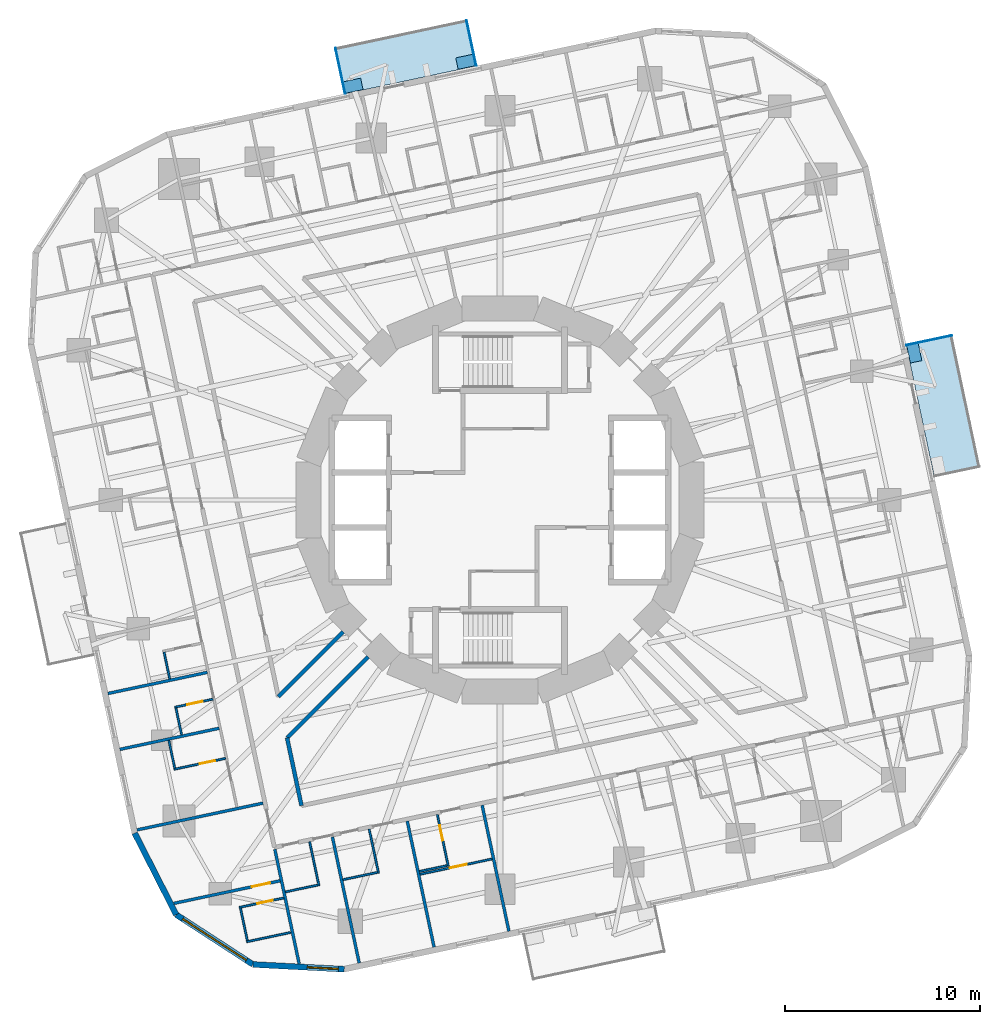
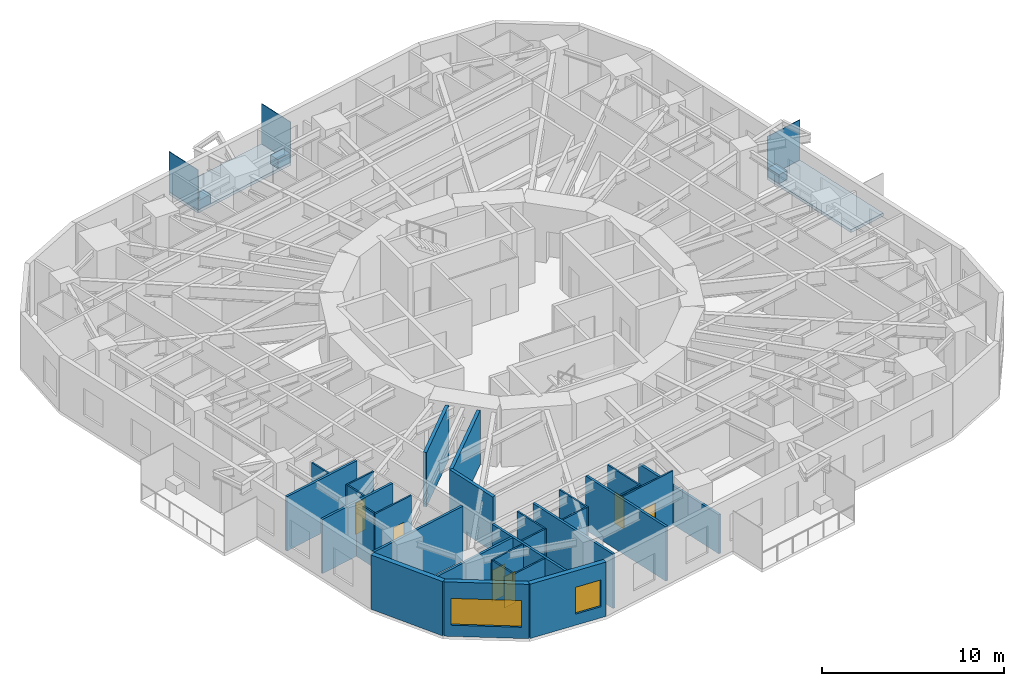
# One storey, part 4 of 14: 29 walls, 6 doors, 6 plates, 2 slabs, 2 windows, 8 openings.
"""IFC4 building model written with IfcOpenShell, lengths in metres."""

from ifc_helpers import new_model, si_unit, direction, frame, frame_2d, origin, origin_2d, place, context, subcontext, project, spatial, polyline, rectangle, outline, extrude, material, layer, layer_set, type_object, element, fill, save


model = new_model("IFC4")

# Units and contexts
model_context = context("Model", 3, precision=1e-05, world=origin(), true_north=direction((0.0, 1.0)))
body_context = subcontext(model_context, "Body", "Model", "MODEL_VIEW")
ifc_project = project(units=[si_unit("LENGTHUNIT", "METRE"), si_unit("AREAUNIT", "SQUARE_METRE"), si_unit("VOLUMEUNIT", "CUBIC_METRE"), si_unit("PLANEANGLEUNIT", "RADIAN"), si_unit("MASSUNIT", "GRAM", prefix="KILO")], contexts=[model_context])

# Site, building, storey
site_placement = place(None, origin())
site = spatial("IfcSite", under=ifc_project, at=site_placement, CompositionType="ELEMENT")
building_placement = place(site_placement, origin())
building = spatial("IfcBuilding", under=site, at=building_placement, Name="Nakasero Lantern House", CompositionType="ELEMENT")
storey_placement = place(building_placement, frame((0.0, 0.0, 112.699951171875)))
storey = spatial("IfcBuildingStorey", under=building, at=storey_placement, Name="L27", CompositionType="ELEMENT", Elevation=112.699951171875)

# Plates
ifc_material_1 = material(Name="Aluminium 6063-T6", Category="aluminium")
ifc_layer_1 = layer(ifc_material_1, 0.60009765625)
ifc_layer_set_1 = layer_set([ifc_layer_1], Name="Balcony planter 600x900")
plate_type_1 = type_object("IfcPlateType", Name="Balcony planter 600x900", PredefinedType="USERDEFINED", material=ifc_layer_set_1)
for number, where, z_axis, x_axis, name in (
    (1, (21.220947265625, 7.516357421875, 0.0), (0.0, 0.0, 1.0), (0.978147600734, 0.207911690818, 0.0), "Balcony PLANTER L27 BAL0B"),
    (2, (-1.764892578125, 22.443603515625, 0.0), (0.0, 0.0, 1.0), (-0.207911690818, 0.978147600734, 0.0), "Balcony PLANTER L27 BAL1A"),
    (3, (-7.516357421875, 21.220947265625, 0.0), (0.0, 0.0, 1.0), (-0.207911690818, 0.978147600734, 0.0), "Balcony PLANTER L27 BAL1B"),
):
    element("IfcPlate", number, at=place(storey_placement, frame(where, z_axis=z_axis, x_axis=x_axis)), inside=storey, type_object=plate_type_1, Name=name, ObjectType="PLANTER", PredefinedType="USERDEFINED", context=body_context, shape_type="SweptSolid", body=[
        extrude(rectangle(XDim=0.60009765625, YDim=0.89990234375, at=origin_2d()), origin(), (0.0, 0.0, 1.0), 0.60009765625),
    ])
ifc_material_2 = material(Name="Aluminium 6063-T6", Category="aluminium")
ifc_layer_2 = layer(ifc_material_2, 0.0400390625)
ifc_layer_set_2 = layer_set([ifc_layer_2], Name="Balcony screen 2400x2700")
plate_type_2 = type_object("IfcPlateType", Name="Balcony screen 2400x2700", PredefinedType="SHEET", material=ifc_layer_set_2)
for number, where, z_axis, x_axis, name in (
    (4, (21.97998046875, 8.1787109375, 0.0), (0.0, 0.0, 1.0), (0.978147600734, 0.207911690818, 0.0), "Balcony SCREEN L27 BAL0B"),
    (5, (-1.468505859375, 23.40625, 0.0), (0.0, 0.0, 1.0), (-0.207911690818, 0.978147600734, 0.0), "Balcony SCREEN L27 BAL1A"),
    (6, (-8.1787109375, 21.97998046875, 0.0), (0.0, 0.0, 1.0), (-0.207911690818, 0.978147600734, 0.0), "Balcony SCREEN L27 BAL1B"),
):
    element("IfcPlate", number, at=place(storey_placement, frame(where, z_axis=z_axis, x_axis=x_axis)), inside=storey, type_object=plate_type_2, Name=name, PredefinedType="SHEET", context=body_context, shape_type="SweptSolid", body=[
        extrude(rectangle(XDim=2.39990234375, YDim=0.0400390625, at=origin_2d()), origin(), (0.0, 0.0, 1.0), 2.699951171875),
    ])

# Slabs
ifc_material_3 = material(Name="Concrete C35/45", Category="concrete")
ifc_layer_3 = layer(ifc_material_3, 0.199951171875)
ifc_layer_set_3 = layer_set([ifc_layer_3], Name="Balcony slab 200")
slab_type = type_object("IfcSlabType", Name="Balcony slab 200", PredefinedType="USERDEFINED", material=ifc_layer_set_3)
slab_1_placement = place(storey_placement, frame((0.0, 0.0, -0.199951171875)))
element("IfcSlab", 7, at=slab_1_placement, inside=storey, type_object=slab_type, Name="Balcony L27 BAL0", ObjectType="BALCONY", PredefinedType="USERDEFINED", context=body_context, shape_type="SweptSolid", body=[
    extrude(outline(polyline([(22.236572265625, 1.199462890625), (24.583984375, 1.698486328125), (23.1494140625, 8.44775390625), (20.802001953125, 7.94873046875), (22.236572265625, 1.199462890625)])), origin(), (0.0, 0.0, 1.0), 0.199951171875),
])
slab_2_placement = place(storey_placement, frame((0.0, 0.0, -0.199951171875)))
element("IfcSlab", 8, at=slab_2_placement, inside=storey, type_object=slab_type, Name="Balcony L27 BAL1", ObjectType="BALCONY", PredefinedType="USERDEFINED", context=body_context, shape_type="SweptSolid", body=[
    extrude(outline(polyline([(-1.199462890625, 22.236572265625), (-1.698486328125, 24.583984375), (-8.44775390625, 23.1494140625), (-7.94873046875, 20.802001953125), (-1.199462890625, 22.236572265625)])), origin(), (0.0, 0.0, 1.0), 0.199951171875),
])

# Walls
ifc_material_4 = material(Name="Blockwork", Category="masonry")
ifc_layer_4 = layer(ifc_material_4, 0.199951171875)
ifc_layer_set_4 = layer_set([ifc_layer_4], Name="Corridor wall 200")
wall_type_1 = type_object("IfcWallType", Name="Corridor wall 200", PredefinedType="PARTITIONING", material=ifc_layer_set_4)
wall_1_placement = place(storey_placement, frame((-10.90625, -12.178955078125, 0.0), z_axis=(0.0, 0.0, 1.0), x_axis=(0.207962251708, -0.978136852319, 0.0)))
element("IfcWall", 9, at=wall_1_placement, inside=storey, type_object=wall_type_1, Name="Corridor wall L27 IW2-1", PredefinedType="PARTITIONING", context=body_context, shape_type="SweptSolid", body=[
    extrude(rectangle(XDim=3.5546875, YDim=0.199951171875, at=frame_2d((1.77734375, 0.0))), origin(), (0.0, 0.0, 1.0), 3.650146484375),
])
wall_2_placement = place(storey_placement, frame((-6.758544921875, -8.03125, 0.0), z_axis=(0.0, 0.0, 1.0), x_axis=(-0.707106781187, -0.707106781187, 0.0)))
element("IfcWall", 10, at=wall_2_placement, inside=storey, type_object=wall_type_1, Name="Corridor wall L27 PS10a", PredefinedType="PARTITIONING", context=body_context, shape_type="SweptSolid", body=[
    extrude(rectangle(XDim=5.86572265625, YDim=0.199951171875, at=frame_2d((2.932861328125, 0.0))), origin(), (0.0, 0.0, 1.0), 3.650146484375),
])
wall_3_placement = place(storey_placement, frame((-8.03125, -6.758544921875, 0.0), z_axis=(0.0, 0.0, 1.0), x_axis=(-0.707106781187, -0.707106781187, 0.0)))
element("IfcWall", 11, at=wall_3_placement, inside=storey, type_object=wall_type_1, Name="Corridor wall L27 PS10b", PredefinedType="PARTITIONING", context=body_context, shape_type="SweptSolid", body=[
    extrude(rectangle(XDim=4.69677734375, YDim=0.199951171875, at=frame_2d((2.348388671875, 0.0))), origin(), (0.0, 0.0, 1.0), 3.650146484375),
])
ifc_material_5 = material(Name="Blockwork", Category="masonry")
ifc_layer_5 = layer(ifc_material_5, 0.10009765625)
ifc_layer_set_5 = layer_set([ifc_layer_5], Name="En-suite wall 100")
wall_type_2 = type_object("IfcWallType", Name="En-suite wall 100", PredefinedType="PARTITIONING", material=ifc_layer_set_5)
wall_4_placement = place(storey_placement, frame((-17.2060546875, -7.79150390625, 0.0), z_axis=(0.0, 0.0, 1.0), x_axis=(0.207873355681, -0.978155748334, 0.0)))
element("IfcWall", 12, at=wall_4_placement, inside=storey, type_object=wall_type_2, Name="En-suite wall L27 EE2-05", PredefinedType="PARTITIONING", context=body_context, shape_type="SweptSolid", body=[
    extrude(rectangle(XDim=1.39990234375, YDim=0.10009765625, at=frame_2d((0.699951171875, 0.0))), origin(), (0.0, 0.0, 1.0), 3.650146484375),
])

# Wall, opening, door
wall_5_placement = place(storey_placement, frame((-14.70068359375, -10.19970703125, 0.0), z_axis=(0.0, 0.0, 1.0), x_axis=(-0.978152955943, -0.207886494942, 0.0)))
wall_5 = element("IfcWall", 13, at=wall_5_placement, inside=storey, type_object=wall_type_2, Name="En-suite wall L27 ES2-06", PredefinedType="PARTITIONING", context=body_context, shape_type="SweptSolid", body=[
    extrude(rectangle(XDim=2.0, YDim=0.10009765625, at=frame_2d((1.0, 0.0))), origin(), (0.0, 0.0, 1.0), 3.650146484375),
])
opening_1_placement = place(wall_5_placement, frame((0.550048828125, 0.0, 0.0)))
opening_1 = element("IfcOpeningElement", 14, at=opening_1_placement, cuts=wall_5, Name="Opening D02", PredefinedType="OPENING", context=body_context, shape_type="SweptSolid", body=[
    extrude(rectangle(XDim=0.800048828125, YDim=2.10009765625, at=frame_2d((0.39990234375, 1.050048828125))), frame((0.0, 0.070068359375, 0.0), z_axis=(0.0, -1.0, 0.0), x_axis=(1.0, 0.0, 0.0)), (0.0, 0.0, 1.0), 0.14013671875),
])
ifc_material_6 = material(Name="Timber C24", Category="wood")
door_type_1 = type_object("IfcDoorType", Name="En-suite door 800", OperationType="SINGLE_SWING_RIGHT", PredefinedType="DOOR", material=ifc_material_6)
door_1_placement = place(opening_1_placement, origin())
door_1 = element("IfcDoor", 15, at=door_1_placement, inside=storey, type_object=door_type_1, Name="Door L27 DE2-06", OperationType="SINGLE_SWING_LEFT", OverallHeight=2.10009765625, OverallWidth=0.800048828125, PredefinedType="DOOR", context=body_context, shape_type="SweptSolid", body=[
    extrude(rectangle(XDim=0.800048828125, YDim=2.10009765625, at=frame_2d((0.39990234375, 1.050048828125))), frame((0.0, 0.02490234375, 0.0), z_axis=(0.0, -1.0, 0.0), x_axis=(1.0, 0.0, 0.0)), (0.0, 0.0, 1.0), 0.050048828125),
])
fill(opening_1, door_1)

# Wall
wall_6_placement = place(storey_placement, frame((-16.59765625, -10.654052734375, 0.0), z_axis=(0.0, 0.0, 1.0), x_axis=(0.207873355681, -0.978155748334, 0.0)))
element("IfcWall", 16, at=wall_6_placement, inside=storey, type_object=wall_type_2, Name="En-suite wall L27 EE2-06", PredefinedType="PARTITIONING", context=body_context, shape_type="SweptSolid", body=[
    extrude(rectangle(XDim=1.39990234375, YDim=0.10009765625, at=frame_2d((0.699951171875, 0.0))), origin(), (0.0, 0.0, 1.0), 3.650146484375),
])

# Wall, opening, door
wall_7_placement = place(storey_placement, frame((-14.05615234375, -13.23193359375, 0.0), z_axis=(0.0, 0.0, 1.0), x_axis=(-0.978151725935, -0.207892282326, 0.0)))
wall_7 = element("IfcWall", 17, at=wall_7_placement, inside=storey, type_object=wall_type_2, Name="En-suite wall L27 ES2-07", PredefinedType="PARTITIONING", context=body_context, shape_type="SweptSolid", body=[
    extrude(rectangle(XDim=2.699951171875, YDim=0.10009765625, at=frame_2d((1.35009765625, 0.0))), origin(), (0.0, 0.0, 1.0), 3.650146484375),
])
opening_2_placement = place(wall_7_placement, frame((0.550048828125, 0.0, 0.0)))
opening_2 = element("IfcOpeningElement", 18, at=opening_2_placement, cuts=wall_7, Name="Opening D02", PredefinedType="OPENING", context=body_context, shape_type="SweptSolid", body=[
    extrude(rectangle(XDim=0.800048828125, YDim=2.10009765625, at=frame_2d((0.39990234375, 1.050048828125))), frame((0.0, 0.070068359375, 0.0), z_axis=(0.0, -1.0, 0.0), x_axis=(1.0, 0.0, 0.0)), (0.0, 0.0, 1.0), 0.14013671875),
])
door_2_placement = place(opening_2_placement, origin())
door_2 = element("IfcDoor", 19, at=door_2_placement, inside=storey, type_object=door_type_1, Name="Door L27 DE2-07", OperationType="SINGLE_SWING_LEFT", OverallHeight=2.10009765625, OverallWidth=0.800048828125, PredefinedType="DOOR", context=body_context, shape_type="SweptSolid", body=[
    extrude(rectangle(XDim=0.800048828125, YDim=2.10009765625, at=frame_2d((0.39990234375, 1.050048828125))), frame((0.0, 0.02490234375, 0.0), z_axis=(0.0, -1.0, 0.0), x_axis=(1.0, 0.0, 0.0)), (0.0, 0.0, 1.0), 0.050048828125),
])
fill(opening_2, door_2)

# Wall
wall_8_placement = place(storey_placement, frame((-16.9599609375, -12.315673828125, 0.0), z_axis=(0.0, 0.0, 1.0), x_axis=(0.207792295849, -0.978172971302, 0.0)))
element("IfcWall", 20, at=wall_8_placement, inside=storey, type_object=wall_type_2, Name="En-suite wall L27 EE2-07", PredefinedType="PARTITIONING", context=body_context, shape_type="SweptSolid", body=[
    extrude(rectangle(XDim=1.449951171875, YDim=0.10009765625, at=frame_2d((0.72509765625, 0.0))), origin(), (0.0, 0.0, 1.0), 3.650146484375),
])

# Wall, opening, door
wall_9_placement = place(storey_placement, frame((-11.069091796875, -20.382568359375, 0.0), z_axis=(0.0, 0.0, 1.0), x_axis=(-0.978136257952, -0.207965047255, 0.0)))
wall_9 = element("IfcWall", 21, at=wall_9_placement, inside=storey, type_object=wall_type_2, Name="En-suite wall L27 ES2-08", PredefinedType="PARTITIONING", context=body_context, shape_type="SweptSolid", body=[
    extrude(rectangle(XDim=2.3349609375, YDim=0.10009765625, at=frame_2d((1.16748046875, 0.0))), origin(), (0.0, 0.0, 1.0), 3.650146484375),
])
opening_3_placement = place(wall_9_placement, frame((0.5849609375, 0.0, 0.0)))
opening_3 = element("IfcOpeningElement", 22, at=opening_3_placement, cuts=wall_9, Name="Opening D02", PredefinedType="OPENING", context=body_context, shape_type="SweptSolid", body=[
    extrude(rectangle(XDim=0.800048828125, YDim=2.10009765625, at=frame_2d((0.39990234375, 1.050048828125))), frame((0.0, 0.070068359375, 0.0), z_axis=(0.0, -1.0, 0.0), x_axis=(1.0, 0.0, 0.0)), (0.0, 0.0, 1.0), 0.14013671875),
])
door_3_placement = place(opening_3_placement, origin())
door_3 = element("IfcDoor", 23, at=door_3_placement, inside=storey, type_object=door_type_1, Name="Door L27 DE2-08", OperationType="SINGLE_SWING_LEFT", OverallHeight=2.10009765625, OverallWidth=0.800048828125, PredefinedType="DOOR", context=body_context, shape_type="SweptSolid", body=[
    extrude(rectangle(XDim=0.800048828125, YDim=2.10009765625, at=frame_2d((0.39990234375, 1.050048828125))), frame((0.0, 0.02490234375, 0.0), z_axis=(0.0, -1.0, 0.0), x_axis=(1.0, 0.0, 0.0)), (0.0, 0.0, 1.0), 0.050048828125),
])
fill(opening_3, door_3)

# Walls
wall_10_placement = place(storey_placement, frame((-13.293701171875, -20.906494140625, 0.0), z_axis=(0.0, 0.0, 1.0), x_axis=(0.207812379357, -0.978168704767, 0.0)))
element("IfcWall", 24, at=wall_10_placement, inside=storey, type_object=wall_type_2, Name="En-suite wall L27 EE2-08", PredefinedType="PARTITIONING", context=body_context, shape_type="SweptSolid", body=[
    extrude(rectangle(XDim=1.699951171875, YDim=0.10009765625, at=frame_2d((0.85009765625, 0.0))), origin(), (0.0, 0.0, 1.0), 3.650146484375),
])
for number, where, z_axis, x_axis, name in (
    (25, (-10.72900390625, -22.150634765625, 0.0), (0.0, 0.0, 1.0), (-0.978162897375, -0.207839712757, 0.0), "En-suite wall L27 EV2-08"),
    (26, (-9.74755859375, -17.50927734375, 0.0), (0.0, 0.0, 1.0), (0.207839712757, -0.978162897375, 0.0), "En-suite wall L27 ES3-00"),
):
    element("IfcWall", number, at=place(storey_placement, frame(where, z_axis=z_axis, x_axis=x_axis)), inside=storey, type_object=wall_type_2, Name=name, PredefinedType="PARTITIONING", context=body_context, shape_type="SweptSolid", body=[
        extrude(rectangle(XDim=2.300048828125, YDim=0.10009765625, at=frame_2d((1.14990234375, 0.0))), origin(), (0.0, 0.0, 1.0), 3.650146484375),
    ])
wall_11_placement = place(storey_placement, frame((-10.99169921875, -20.073974609375, 0.0), z_axis=(0.0, 0.0, 1.0), x_axis=(0.97814571127, 0.207920579847, 0.0)))
element("IfcWall", 27, at=wall_11_placement, inside=storey, type_object=wall_type_2, Name="En-suite wall L27 EE3-00", PredefinedType="PARTITIONING", context=body_context, shape_type="SweptSolid", body=[
    extrude(rectangle(XDim=1.7001953125, YDim=0.10009765625, at=frame_2d((0.85009765625, 0.0))), origin(), (0.0, 0.0, 1.0), 3.650146484375),
])
wall_12_placement = place(storey_placement, frame((-6.69970703125, -16.861328125, 0.0), z_axis=(0.0, 0.0, 1.0), x_axis=(0.207941273027, -0.978141312374, 0.0)))
element("IfcWall", 28, at=wall_12_placement, inside=storey, type_object=wall_type_2, Name="En-suite wall L27 ES3-01", PredefinedType="PARTITIONING", context=body_context, shape_type="SweptSolid", body=[
    extrude(rectangle(XDim=2.300048828125, YDim=0.10009765625, at=frame_2d((1.14990234375, 0.0))), origin(), (0.0, 0.0, 1.0), 3.650146484375),
])
wall_13_placement = place(storey_placement, frame((-8.041259765625, -19.44677734375, 0.0), z_axis=(0.0, 0.0, 1.0), x_axis=(0.978140575842, 0.207944737591, 0.0)))
element("IfcWall", 29, at=wall_13_placement, inside=storey, type_object=wall_type_2, Name="En-suite wall L27 EE3-01", PredefinedType="PARTITIONING", context=body_context, shape_type="SweptSolid", body=[
    extrude(rectangle(XDim=1.7998046875, YDim=0.10009765625, at=frame_2d((0.89990234375, 0.0))), origin(), (0.0, 0.0, 1.0), 3.650146484375),
])

# Wall, opening, door
wall_14_placement = place(storey_placement, frame((-3.2080078125, -16.119140625, 0.0), z_axis=(0.0, 0.0, 1.0), x_axis=(0.207873895514, -0.97815563361, 0.0)))
wall_14 = element("IfcWall", 30, at=wall_14_placement, inside=storey, type_object=wall_type_2, Name="En-suite wall L27 ES3-02", PredefinedType="PARTITIONING", context=body_context, shape_type="SweptSolid", body=[
    extrude(rectangle(XDim=2.7001953125, YDim=0.10009765625, at=frame_2d((1.35009765625, 0.0))), origin(), (0.0, 0.0, 1.0), 3.650146484375),
])
opening_4_placement = place(wall_14_placement, frame((0.550048828125, 0.0, 0.0)))
opening_4 = element("IfcOpeningElement", 31, at=opening_4_placement, cuts=wall_14, Name="Opening D02", PredefinedType="OPENING", context=body_context, shape_type="SweptSolid", body=[
    extrude(rectangle(XDim=0.800048828125, YDim=2.10009765625, at=frame_2d((0.39990234375, 1.050048828125))), frame((0.0, 0.070068359375, 0.0), z_axis=(0.0, -1.0, 0.0), x_axis=(1.0, 0.0, 0.0)), (0.0, 0.0, 1.0), 0.14013671875),
])
door_4_placement = place(opening_4_placement, origin())
door_4 = element("IfcDoor", 32, at=door_4_placement, inside=storey, type_object=door_type_1, Name="Door L27 DE3-02", OperationType="SINGLE_SWING_LEFT", OverallHeight=2.10009765625, OverallWidth=0.800048828125, PredefinedType="DOOR", context=body_context, shape_type="SweptSolid", body=[
    extrude(rectangle(XDim=0.800048828125, YDim=2.10009765625, at=frame_2d((0.39990234375, 1.050048828125))), frame((0.0, 0.02490234375, 0.0), z_axis=(0.0, -1.0, 0.0), x_axis=(1.0, 0.0, 0.0)), (0.0, 0.0, 1.0), 0.050048828125),
])
fill(opening_4, door_4)

# Wall
wall_15_placement = place(storey_placement, frame((-4.124267578125, -19.023193359375, 0.0), z_axis=(0.0, 0.0, 1.0), x_axis=(0.978138732977, 0.207953405961, 0.0)))
element("IfcWall", 33, at=wall_15_placement, inside=storey, type_object=wall_type_2, Name="En-suite wall L27 EE3-02", PredefinedType="PARTITIONING", context=body_context, shape_type="SweptSolid", body=[
    extrude(rectangle(XDim=1.449951171875, YDim=0.10009765625, at=frame_2d((0.72509765625, 0.0))), origin(), (0.0, 0.0, 1.0), 3.650146484375),
])

# Wall, opening, door
wall_16_placement = place(storey_placement, frame((-4.09326171875, -19.169921875, 0.0), z_axis=(0.0, 0.0, 1.0), x_axis=(0.978150784773, 0.207896710529, 0.0)))
wall_16 = element("IfcWall", 34, at=wall_16_placement, inside=storey, type_object=wall_type_2, Name="En-suite wall L27 EL3-02", PredefinedType="PARTITIONING", context=body_context, shape_type="SweptSolid", body=[
    extrude(rectangle(XDim=3.76953125, YDim=0.10009765625, at=frame_2d((1.884765625, 0.0))), origin(), (0.0, 0.0, 1.0), 3.650146484375),
])
opening_5_placement = place(wall_16_placement, frame((1.550048828125, 0.0, 0.0)))
opening_5 = element("IfcOpeningElement", 35, at=opening_5_placement, cuts=wall_16, Name="Opening D17", PredefinedType="OPENING", context=body_context, shape_type="SweptSolid", body=[
    extrude(rectangle(XDim=0.89990234375, YDim=2.10009765625, at=frame_2d((0.449951171875, 1.050048828125))), frame((0.0, 0.070068359375, 0.0), z_axis=(0.0, -1.0, 0.0), x_axis=(1.0, 0.0, 0.0)), (0.0, 0.0, 1.0), 0.14013671875),
])
ifc_material_7 = material(Name="Timber C24", Category="wood")
door_type_2 = type_object("IfcDoorType", Name="Bedroom door FD30S 900", OperationType="SINGLE_SWING_LEFT", PredefinedType="DOOR", material=ifc_material_7)
door_5_placement = place(opening_5_placement, origin())
door_5 = element("IfcDoor", 36, at=door_5_placement, inside=storey, type_object=door_type_2, Name="Door L27 DL3-02", OperationType="SINGLE_SWING_RIGHT", OverallHeight=2.10009765625, OverallWidth=0.89990234375, PredefinedType="DOOR", context=body_context, shape_type="SweptSolid", body=[
    extrude(rectangle(XDim=0.89990234375, YDim=2.10009765625, at=frame_2d((0.449951171875, 1.050048828125))), frame((0.0, 0.02490234375, 0.0), z_axis=(0.0, -1.0, 0.0), x_axis=(1.0, 0.0, 0.0)), (0.0, 0.0, 1.0), 0.050048828125),
])
fill(opening_5, door_5)

# Wall
ifc_material_8 = material(Name="Aluminium rainscreen on blockwork", Category="masonry")
ifc_layer_6 = layer(ifc_material_8, 0.300048828125)
ifc_layer_set_6 = layer_set([ifc_layer_6], Name="Facade wall 300")
wall_type_3 = type_object("IfcWallType", Name="Facade wall 300", PredefinedType="SOLIDWALL", material=ifc_layer_set_6)
wall_17_placement = place(storey_placement, frame((-18.711181640625, -17.063232421875, 0.0), z_axis=(0.0, 0.0, 1.0), x_axis=(0.453975745332, -0.89101404178, 0.0)))
element("IfcWall", 37, at=wall_17_placement, inside=storey, type_object=wall_type_3, Name="Facade wall L27 FW2C1", PredefinedType="SOLIDWALL", context=body_context, shape_type="SweptSolid", body=[
    extrude(rectangle(XDim=4.6845703125, YDim=0.300048828125, at=frame_2d((2.34228515625, 0.0))), origin(), (0.0, 0.0, 1.0), 3.650146484375),
])

# Wall, opening, window
wall_18_placement = place(storey_placement, frame((-16.58447265625, -21.2373046875, 0.0), z_axis=(0.0, 0.0, 1.0), x_axis=(0.838692381994, -0.544605442853, 0.0)))
wall_18 = element("IfcWall", 38, at=wall_18_placement, inside=storey, type_object=wall_type_3, Name="Facade wall L27 FW2C2", PredefinedType="SOLIDWALL", context=body_context, shape_type="SweptSolid", body=[
    extrude(rectangle(XDim=4.6845703125, YDim=0.300048828125, at=frame_2d((2.34228515625, 0.0))), origin(), (0.0, 0.0, 1.0), 3.650146484375),
])
opening_6_placement = place(wall_18_placement, frame((0.39990234375, 0.0, 0.75)))
opening_6 = element("IfcOpeningElement", 39, at=opening_6_placement, cuts=wall_18, Name="Opening W238", PredefinedType="OPENING", context=body_context, shape_type="SweptSolid", body=[
    extrude(rectangle(XDim=3.885009765625, YDim=1.800048828125, at=frame_2d((1.9423828125, 0.89990234375))), frame((0.0, 0.169921875, 0.0), z_axis=(0.0, -1.0, 0.0), x_axis=(1.0, 0.0, 0.0)), (0.0, 0.0, 1.0), 0.340087890625),
])
ifc_material_9 = material(Name="Aluminium 6063-T6 and glass", Category="aluminium")
window_type_1 = type_object("IfcWindowType", Name="Corner window 3885x1800", PartitioningType="SINGLE_PANEL", PredefinedType="WINDOW", material=ifc_material_9)
window_1_placement = place(opening_6_placement, origin())
window_1 = element("IfcWindow", 40, at=window_1_placement, inside=storey, type_object=window_type_1, Name="Window L27 WC2", OverallHeight=1.800048828125, OverallWidth=3.885009765625, PartitioningType="SINGLE_PANEL", PredefinedType="WINDOW", context=body_context, shape_type="SweptSolid", body=[
    extrude(rectangle(XDim=3.885009765625, YDim=1.800048828125, at=frame_2d((1.9423828125, 0.89990234375))), frame((0.0, 0.030029296875, 0.0), z_axis=(0.0, -1.0, 0.0), x_axis=(1.0, 0.0, 0.0)), (0.0, 0.0, 1.0), 0.06005859375),
])
fill(opening_6, window_1)

wall_19_placement = place(storey_placement, frame((-12.655517578125, -23.78857421875, 0.0), z_axis=(0.0, 0.0, 1.0), x_axis=(0.998630039879, -0.052326317, 0.0)))
wall_19 = element("IfcWall", 41, at=wall_19_placement, inside=storey, type_object=wall_type_3, Name="Facade wall L27 FW2C3", PredefinedType="SOLIDWALL", context=body_context, shape_type="SweptSolid", body=[
    extrude(rectangle(XDim=4.684326171875, YDim=0.300048828125, at=frame_2d((2.34228515625, 0.0))), origin(), (0.0, 0.0, 1.0), 3.650146484375),
])
opening_7_placement = place(wall_19_placement, frame((2.784912109375, 0.0, 0.75)))
opening_7 = element("IfcOpeningElement", 42, at=opening_7_placement, cuts=wall_19, Name="Opening W01", PredefinedType="OPENING", context=body_context, shape_type="SweptSolid", body=[
    extrude(rectangle(XDim=1.60009765625, YDim=1.800048828125, at=frame_2d((0.800048828125, 0.89990234375))), frame((0.0, 0.169921875, 0.0), z_axis=(0.0, -1.0, 0.0), x_axis=(1.0, 0.0, 0.0)), (0.0, 0.0, 1.0), 0.340087890625),
])
ifc_material_10 = material(Name="Aluminium 6063-T6 and glass", Category="aluminium")
window_type_2 = type_object("IfcWindowType", Name="Bedroom window 1600x1800", PartitioningType="SINGLE_PANEL", PredefinedType="WINDOW", material=ifc_material_10)
window_2_placement = place(opening_7_placement, origin())
window_2 = element("IfcWindow", 43, at=window_2_placement, inside=storey, type_object=window_type_2, Name="Window L27 WN3-00", OverallHeight=1.800048828125, OverallWidth=1.60009765625, PartitioningType="SINGLE_PANEL", PredefinedType="WINDOW", context=body_context, shape_type="SweptSolid", body=[
    extrude(rectangle(XDim=1.60009765625, YDim=1.800048828125, at=frame_2d((0.800048828125, 0.89990234375))), frame((0.0, 0.030029296875, 0.0), z_axis=(0.0, -1.0, 0.0), x_axis=(1.0, 0.0, 0.0)), (0.0, 0.0, 1.0), 0.06005859375),
])
fill(opening_7, window_2)

# Walls
ifc_material_11 = material(Name="Blockwork", Category="masonry")
ifc_layer_7 = layer(ifc_material_11, 0.14990234375)
ifc_layer_set_7 = layer_set([ifc_layer_7], Name="Party wall 150")
wall_type_4 = type_object("IfcWallType", Name="Party wall 150", PredefinedType="PARTITIONING", material=ifc_layer_set_7)
for number, where, z_axis, x_axis, name in (
    (44, (-14.991943359375, -8.828857421875, 0.0), (0.0, 0.0, 1.0), (-0.978151452323, -0.207893569688, 0.0), "Party wall L27 PW2-06"),
    (45, (-14.383544921875, -11.69140625, 0.0), (0.0, 0.0, 1.0), (-0.978151452323, -0.207893569688, 0.0), "Party wall L27 PW2-07"),
):
    element("IfcWall", number, at=place(storey_placement, frame(where, z_axis=z_axis, x_axis=x_axis)), inside=storey, type_object=wall_type_4, Name=name, PredefinedType="PARTITIONING", context=body_context, shape_type="SweptSolid", body=[
        extrude(rectangle(XDim=5.199951171875, YDim=0.14990234375, at=frame_2d((2.60009765625, 0.0))), origin(), (0.0, 0.0, 1.0), 3.650146484375),
    ])
wall_20_placement = place(storey_placement, frame((-12.13720703125, -15.526123046875, 0.0), z_axis=(0.0, 0.0, 1.0), x_axis=(-0.978144841009, -0.207924673876, 0.0)))
element("IfcWall", 46, at=wall_20_placement, inside=storey, type_object=wall_type_4, Name="Party wall L27 PW2-08", PredefinedType="PARTITIONING", context=body_context, shape_type="SweptSolid", body=[
    extrude(rectangle(XDim=6.60009765625, YDim=0.14990234375, at=frame_2d((3.300048828125, 0.0))), origin(), (0.0, 0.0, 1.0), 3.650146484375),
])

# Wall, opening, door
wall_21_placement = place(storey_placement, frame((-11.256103515625, -19.502197265625, 0.0), z_axis=(0.0, 0.0, 1.0), x_axis=(-0.978142361087, -0.207936339891, 0.0)))
wall_21 = element("IfcWall", 47, at=wall_21_placement, inside=storey, type_object=wall_type_4, Name="Party wall L27 PC2", PredefinedType="PARTITIONING", context=body_context, shape_type="SweptSolid", body=[
    extrude(rectangle(XDim=5.570068359375, YDim=0.14990234375, at=frame_2d((2.78515625, 0.0))), origin(), (0.0, 0.0, 1.0), 3.650146484375),
])
opening_8_placement = place(wall_21_placement, frame((0.534912109375, 0.0, 0.0)))
opening_8 = element("IfcOpeningElement", 48, at=opening_8_placement, cuts=wall_21, Name="Opening D01", PredefinedType="OPENING", context=body_context, shape_type="SweptSolid", body=[
    extrude(rectangle(XDim=0.949951171875, YDim=2.10009765625, at=frame_2d((0.47509765625, 1.050048828125))), frame((0.0, 0.094970703125, 0.0), z_axis=(0.0, -1.0, 0.0), x_axis=(1.0, 0.0, 0.0)), (0.0, 0.0, 1.0), 0.18994140625),
])
ifc_material_12 = material(Name="Timber C24", Category="wood")
door_type_3 = type_object("IfcDoorType", Name="Bedroom door FD30S 950", OperationType="SINGLE_SWING_LEFT", PredefinedType="DOOR", material=ifc_material_12)
door_6_placement = place(opening_8_placement, origin())
door_6 = element("IfcDoor", 49, at=door_6_placement, inside=storey, type_object=door_type_3, Name="Door L27 DC2", OperationType="SINGLE_SWING_LEFT", OverallHeight=2.10009765625, OverallWidth=0.949951171875, PredefinedType="DOOR", context=body_context, shape_type="SweptSolid", body=[
    extrude(rectangle(XDim=0.949951171875, YDim=2.10009765625, at=frame_2d((0.47509765625, 1.050048828125))), frame((0.0, 0.02490234375, 0.0), z_axis=(0.0, -1.0, 0.0), x_axis=(1.0, 0.0, 0.0)), (0.0, 0.0, 1.0), 0.050048828125),
])
fill(opening_8, door_6)

# Walls
wall_22_placement = place(storey_placement, frame((-11.53271484375, -17.888671875, 0.0), z_axis=(0.0, 0.0, 1.0), x_axis=(0.207886494942, -0.978152955943, 0.0)))
element("IfcWall", 50, at=wall_22_placement, inside=storey, type_object=wall_type_4, Name="Party wall L27 PW3-00", PredefinedType="PARTITIONING", context=body_context, shape_type="SweptSolid", body=[
    extrude(rectangle(XDim=6.0, YDim=0.14990234375, at=frame_2d((3.0, 0.0))), origin(), (0.0, 0.0, 1.0), 3.650146484375),
])
wall_23_placement = place(storey_placement, frame((-8.58251953125, -17.26171875, 0.0), z_axis=(0.0, 0.0, 1.0), x_axis=(0.207932197326, -0.978143241716, 0.0)))
element("IfcWall", 51, at=wall_23_placement, inside=storey, type_object=wall_type_4, Name="Party wall L27 PW3-01", PredefinedType="PARTITIONING", context=body_context, shape_type="SweptSolid", body=[
    extrude(rectangle(XDim=6.599853515625, YDim=0.14990234375, at=frame_2d((3.2998046875, 0.0))), origin(), (0.0, 0.0, 1.0), 3.650146484375),
])
wall_24_placement = place(storey_placement, frame((-4.748779296875, -16.44677734375, 0.0), z_axis=(0.0, 0.0, 1.0), x_axis=(0.207924673876, -0.978144841009, 0.0)))
element("IfcWall", 52, at=wall_24_placement, inside=storey, type_object=wall_type_4, Name="Party wall L27 PW3-02", PredefinedType="PARTITIONING", context=body_context, shape_type="SweptSolid", body=[
    extrude(rectangle(XDim=6.60009765625, YDim=0.14990234375, at=frame_2d((3.300048828125, 0.0))), origin(), (0.0, 0.0, 1.0), 3.650146484375),
])
wall_25_placement = place(storey_placement, frame((-0.914794921875, -15.6318359375, 0.0), z_axis=(0.0, 0.0, 1.0), x_axis=(0.207924673876, -0.978144841009, 0.0)))
element("IfcWall", 53, at=wall_25_placement, inside=storey, type_object=wall_type_4, Name="Party wall L27 PW3-03", PredefinedType="PARTITIONING", context=body_context, shape_type="SweptSolid", body=[
    extrude(rectangle(XDim=6.60009765625, YDim=0.14990234375, at=frame_2d((3.300048828125, 0.0))), origin(), (0.0, 0.0, 1.0), 2.6240234375),
])

save(model, "model.ifc")
